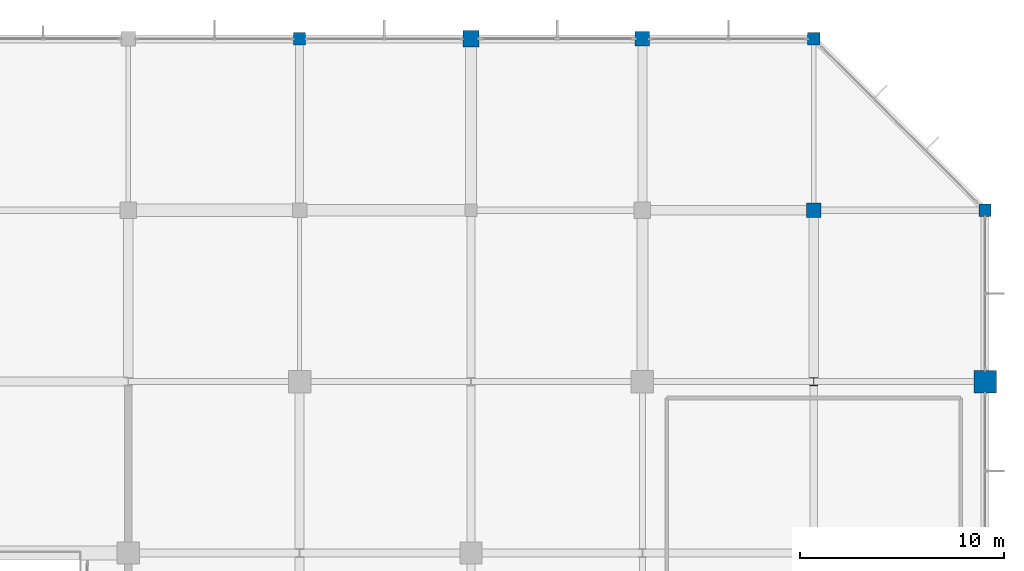
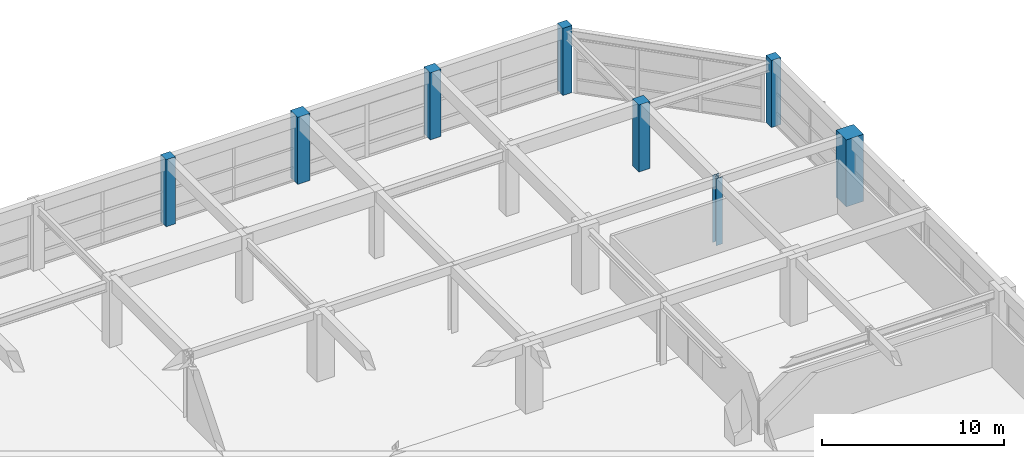
# One storey, part 9 of 62: 8 columns.
"""IFC4 building model written with IfcOpenShell, lengths in metres."""

from ifc_helpers import new_model, si_unit, direction, frame, origin, origin_2d, place, context, subcontext, project, spatial, rectangle, i_section, extrude, material, material_profile, profile_set, type_object, element, save


model = new_model("IFC4")

# Units and contexts
model_context = context("Model", 3, precision=1e-05, world=origin(), true_north=direction((0.0, 1.0)))
body_context = subcontext(model_context, "Body", "Model", "MODEL_VIEW")
ifc_project = project(units=[si_unit("LENGTHUNIT", "METRE"), si_unit("AREAUNIT", "SQUARE_METRE"), si_unit("VOLUMEUNIT", "CUBIC_METRE"), si_unit("PLANEANGLEUNIT", "RADIAN"), si_unit("MASSUNIT", "GRAM", prefix="KILO")], contexts=[model_context])

# Site, building, storey
site_placement = place(None, origin())
site = spatial("IfcSite", under=ifc_project, at=site_placement, CompositionType="ELEMENT")
building_placement = place(site_placement, origin())
building = spatial("IfcBuilding", under=site, at=building_placement, Name="Xuanlan Plaza Opera House", CompositionType="ELEMENT")
storey_placement = place(building_placement, frame((0.0, 0.0, 14.39990234375)))
storey = spatial("IfcBuildingStorey", under=building, at=storey_placement, Name="L03", CompositionType="ELEMENT", Elevation=14.39990234375)

# Columns
ifc_material_1 = material(Name="Concrete C50", Category="concrete")
ifc_material_profile_1 = material_profile(ifc_material_1, rectangle(XDim=1.10009765625, YDim=1.10009765625, at=origin_2d()), Name="RC-COL 1100x1100")
ifc_profile_set_1 = profile_set([ifc_material_profile_1], Name="Concrete C50")
column_type_1 = type_object("IfcColumnType", Name="STR-COL-C-03", PredefinedType="COLUMN", material=ifc_profile_set_1)
column_1_placement = place(storey_placement, frame((168.0, 84.0, 0.0), z_axis=(0.0, 0.0, 1.0), x_axis=(1.0, 0.0, 0.0)))
element("IfcColumn", 1, at=column_1_placement, inside=storey, type_object=column_type_1, Name="Column L03 21-K", PredefinedType="COLUMN", context=body_context, shape_type="SweptSolid", body=[
    extrude(rectangle(XDim=1.10009765625, YDim=1.10009765625, at=origin_2d()), origin(), (0.0, 0.0, 1.0), 4.5),
])
ifc_material_2 = material(Name="Concrete C40", Category="concrete")
ifc_material_profile_2 = material_profile(ifc_material_2, rectangle(XDim=0.800048828125, YDim=0.800048828125, at=origin_2d()), Name="RC-COL 800x800")
ifc_profile_set_2 = profile_set([ifc_material_profile_2], Name="Concrete C40")
column_type_2 = type_object("IfcColumnType", Name="STR-COL-C-06", PredefinedType="COLUMN", material=ifc_profile_set_2)
column_2_placement = place(storey_placement, frame((142.800048828125, 100.800048828125, 0.0), z_axis=(0.0, 0.0, 1.0), x_axis=(1.0, 0.0, 0.0)))
element("IfcColumn", 2, at=column_2_placement, inside=storey, type_object=column_type_2, Name="Column L03 18-M", PredefinedType="COLUMN", context=body_context, shape_type="SweptSolid", body=[
    extrude(rectangle(XDim=0.800048828125, YDim=0.800048828125, at=origin_2d()), origin(), (0.0, 0.0, 1.0), 4.5),
])
ifc_material_profile_3 = material_profile(ifc_material_2, rectangle(XDim=0.699951171875, YDim=0.699951171875, at=origin_2d()), Name="RC-COL 700x700")
ifc_profile_set_3 = profile_set([ifc_material_profile_3], Name="Concrete C40")
column_type_3 = type_object("IfcColumnType", Name="STR-COL-C-07", PredefinedType="COLUMN", material=ifc_profile_set_3)
for number, where, z_axis, x_axis, name in (
    (3, (151.199951171875, 100.800048828125, 0.0), (0.0, 0.0, 1.0), (1.0, 0.0, 0.0), "Column L03 19-M"),
    (4, (159.60009765625, 92.39990234375, 0.0), (0.0, 0.0, 1.0), (1.0, 0.0, 0.0), "Column L03 20-L"),
):
    element("IfcColumn", number, at=place(storey_placement, frame(where, z_axis=z_axis, x_axis=x_axis)), inside=storey, type_object=column_type_3, Name=name, PredefinedType="COLUMN", context=body_context, shape_type="SweptSolid", body=[
        extrude(rectangle(XDim=0.699951171875, YDim=0.699951171875, at=origin_2d()), origin(), (0.0, 0.0, 1.0), 4.5),
    ])
ifc_material_profile_4 = material_profile(ifc_material_2, rectangle(XDim=0.60009765625, YDim=0.60009765625, at=origin_2d()), Name="RC-COL 600x600")
ifc_profile_set_4 = profile_set([ifc_material_profile_4], Name="Concrete C40")
column_type_4 = type_object("IfcColumnType", Name="STR-COL-C-08", PredefinedType="COLUMN", material=ifc_profile_set_4)
for number, where, z_axis, x_axis, name in (
    (5, (134.39990234375, 100.800048828125, 0.0), (0.0, 0.0, 1.0), (1.0, 0.0, 0.0), "Column L03 17-M"),
    (6, (159.60009765625, 100.800048828125, 0.0), (0.0, 0.0, 1.0), (1.0, 0.0, 0.0), "Column L03 20-M"),
    (7, (168.0, 92.39990234375, 0.0), (0.0, 0.0, 1.0), (1.0, 0.0, 0.0), "Column L03 21-L"),
):
    element("IfcColumn", number, at=place(storey_placement, frame(where, z_axis=z_axis, x_axis=x_axis)), inside=storey, type_object=column_type_4, Name=name, PredefinedType="COLUMN", context=body_context, shape_type="SweptSolid", body=[
        extrude(rectangle(XDim=0.60009765625, YDim=0.60009765625, at=origin_2d()), origin(), (0.0, 0.0, 1.0), 4.5),
    ])
ifc_material_3 = material(Name="Steel Q355B", Category="steel")
ifc_material_profile_5 = material_profile(ifc_material_3, i_section(OverallWidth=0.39990234375, OverallDepth=0.39990234375, WebThickness=0.012939453125, FlangeThickness=0.02099609375, FilletRadius=0.02197265625, at=origin_2d()), Name="HW 400x400x13x21")
ifc_profile_set_5 = profile_set([ifc_material_profile_5], Name="Steel Q355B")
column_type_5 = type_object("IfcColumnType", Name="STR-COL-C-14", PredefinedType="COLUMN", material=ifc_profile_set_5)
column_3_placement = place(storey_placement, frame((159.60009765625, 84.0, 0.0), z_axis=(0.0, 0.0, 1.0), x_axis=(1.0, 0.0, 0.0)))
element("IfcColumn", 8, at=column_3_placement, inside=storey, type_object=column_type_5, Name="Column L03 20-K", PredefinedType="COLUMN", context=body_context, shape_type="SweptSolid", body=[
    extrude(i_section(OverallWidth=0.39990234375, OverallDepth=0.39990234375, WebThickness=0.012939453125, FlangeThickness=0.02099609375, FilletRadius=0.02197265625, at=origin_2d()), origin(), (0.0, 0.0, 1.0), 4.5),
])

save(model, "model.ifc")
